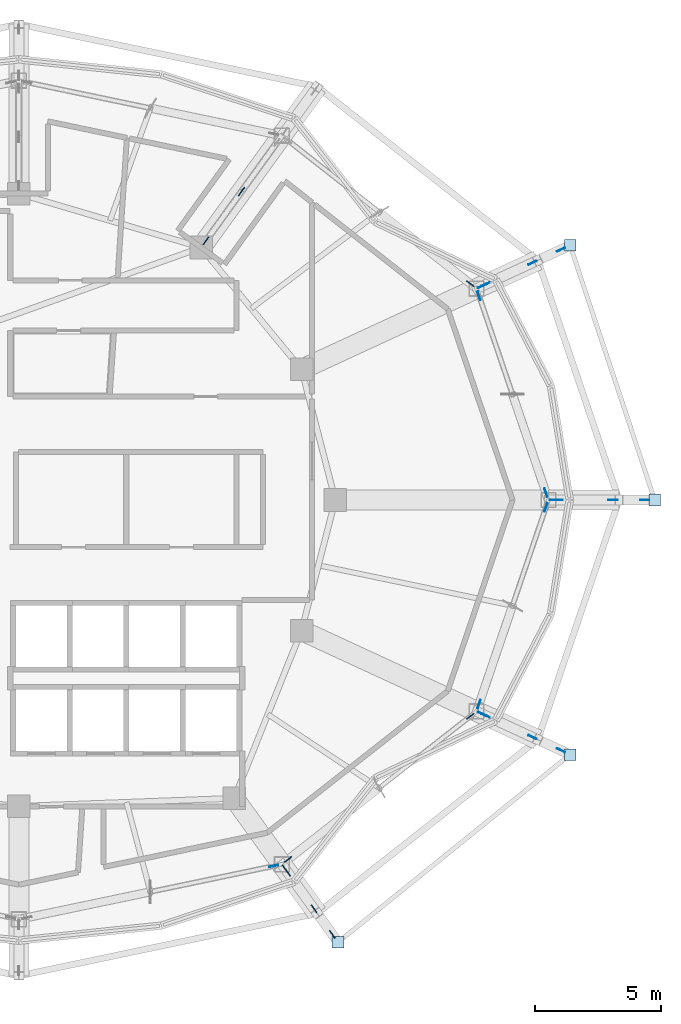
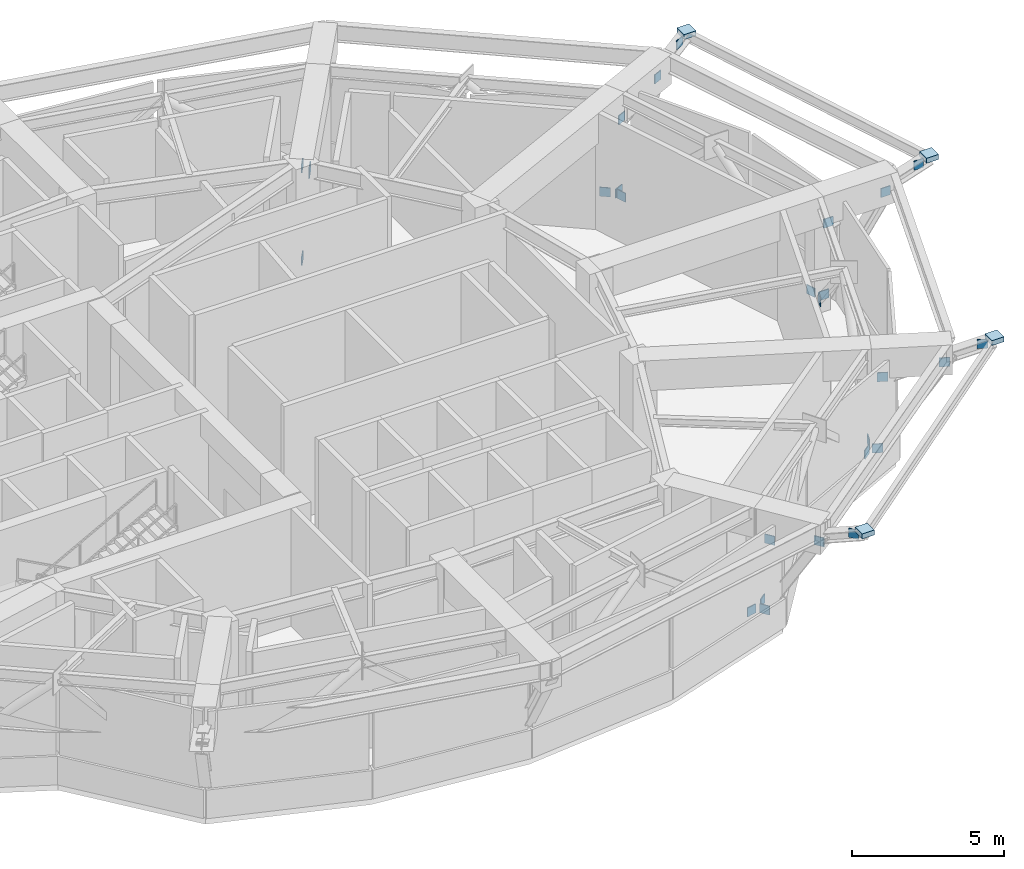
# One storey, part 6 of 13: 31 plates.
"""IFC4 building model written with IfcOpenShell, lengths in metres."""

from ifc_helpers import new_model, si_unit, direction, frame, origin, origin_2d, place, context, subcontext, project, spatial, rectangle, extrude, material, layer, layer_set, type_object, element, save


model = new_model("IFC4")

# Units and contexts
model_context = context("Model", 3, precision=1e-05, world=origin(), true_north=direction((0.0, 1.0)))
body_context = subcontext(model_context, "Body", "Model", "MODEL_VIEW")
ifc_project = project(units=[si_unit("LENGTHUNIT", "METRE"), si_unit("AREAUNIT", "SQUARE_METRE"), si_unit("VOLUMEUNIT", "CUBIC_METRE"), si_unit("PLANEANGLEUNIT", "RADIAN"), si_unit("MASSUNIT", "GRAM", prefix="KILO")], contexts=[model_context])

# Site, building, storey
site_placement = place(None, origin())
site = spatial("IfcSite", under=ifc_project, at=site_placement, CompositionType="ELEMENT")
building_placement = place(site_placement, origin())
building = spatial("IfcBuilding", under=site, at=building_placement, Name="Kolvaren Gate Tower and Convention Centre", CompositionType="ELEMENT")
storey_placement = place(building_placement, frame((0.0, 0.0, 186.89990234375)))
storey = spatial("IfcBuildingStorey", under=building, at=storey_placement, Name="L49", CompositionType="ELEMENT", Elevation=186.89990234375)

# Plates
ifc_material = material(Name="Structural steel plate ASTM A572 Grade 345 MPa", Category="steel")
ifc_layer_1 = layer(ifc_material, 0.030029296875)
ifc_layer_set_1 = layer_set([ifc_layer_1], Name="Structural steel plate ASTM A572 Grade 345 MPa")
plate_type_1 = type_object("IfcPlateType", Name="STR-PL-CAP-30", PredefinedType="USERDEFINED", material=ifc_layer_set_1)
for number, where, z_axis, x_axis, name in (
    (1, (55.445068359375, 27.0, 4.54052734375), (0.0, 0.0, 1.0), (1.0, 0.0, 0.0), "Balcony Outrigger Strut 1A Top Bearing Seat"),
    (2, (52.076416015625, 37.138916015625, 4.54052734375), (0.0, 0.0, 1.0), (1.0, 0.0, 0.0), "Balcony Outrigger Strut 1B Top Bearing Seat"),
    (3, (42.83349609375, 9.390380859375, 4.54052734375), (0.0, 0.0, 1.0), (1.0, 0.0, 0.0), "Balcony Outrigger Strut 4A Top Bearing Seat"),
    (4, (52.076416015625, 16.861083984375, 4.54052734375), (0.0, 0.0, 1.0), (1.0, 0.0, 0.0), "Balcony Outrigger Strut 4B Top Bearing Seat"),
):
    element("IfcPlate", number, at=place(storey_placement, frame(where, z_axis=z_axis, x_axis=x_axis)), inside=storey, type_object=plate_type_1, Name=name, ObjectType="GUSSET PLATE", PredefinedType="USERDEFINED", context=body_context, shape_type="SweptSolid", body=[
        extrude(rectangle(XDim=0.4599609375, YDim=0.4599609375, at=origin_2d()), origin(), (0.0, 0.0, 1.0), 0.199951171875),
    ])
ifc_layer_2 = layer(ifc_material, 0.035888671875)
ifc_layer_set_2 = layer_set([ifc_layer_2], Name="Structural steel plate ASTM A572 Grade 345 MPa")
plate_type_2 = type_object("IfcPlateType", Name="STR-PL-END-36", PredefinedType="USERDEFINED", material=ifc_layer_set_2)
for number, where, z_axis, x_axis, name in (
    (5, (51.453369140625, 27.0, 0.26416015625), (0.0, 0.0, 1.0), (1.0, 0.0, 0.0), "Structural Brace End Connection Gusset Plate EGP-009"),
    (6, (53.7841796875, 27.0, 3.595703125), (0.0, 0.0, 1.0), (1.0, 0.0, 0.0), "Structural Brace End Connection Gusset Plate EGP-010"),
    (7, (48.5634765625, 35.516357421875, 0.26953125), (0.0, 0.0, 1.0), (0.907841891041, 0.419312652888, 0.0), "Structural Brace End Connection Gusset Plate EGP-011"),
    (8, (50.57568359375, 36.44580078125, 3.5908203125), (0.0, 0.0, 1.0), (0.907841891041, 0.419312652888, 0.0), "Structural Brace End Connection Gusset Plate EGP-012"),
    (9, (40.722412109375, 12.31591796875, 0.28076171875), (0.0, 0.0, 1.0), (0.585184143922, -0.810900436369, 0.0), "Structural Brace End Connection Gusset Plate EGP-029"),
    (10, (41.87646484375, 10.716796875, 3.57958984375), (0.0, 0.0, 1.0), (0.585184143922, -0.810900436369, 0.0), "Structural Brace End Connection Gusset Plate EGP-030"),
    (11, (48.5634765625, 18.483642578125, 0.26953125), (0.0, 0.0, 1.0), (0.907841891041, -0.419312652888, 0.0), "Structural Brace End Connection Gusset Plate EGP-031"),
    (12, (50.57568359375, 17.55419921875, 3.5908203125), (0.0, 0.0, 1.0), (0.907841891041, -0.419312652888, 0.0), "Structural Brace End Connection Gusset Plate EGP-032"),
    (13, (51.611572265625, 27.0, 3.12109375), (0.0, 0.0, 1.0), (1.0, 0.0, 0.0), "Structural Brace End Connection Gusset Plate EGP-033"),
    (14, (55.0458984375, 27.0, 4.24951171875), (0.0, 0.0, 1.0), (1.0, 0.0, 0.0), "Structural Brace End Connection Gusset Plate EGP-034"),
    (15, (48.712890625, 35.58544921875, 3.125), (0.0, 0.0, 1.0), (0.907842622878, 0.419311068404, 0.0), "Structural Brace End Connection Gusset Plate EGP-035"),
    (16, (51.71533203125, 36.97216796875, 4.24560546875), (0.0, 0.0, 1.0), (0.907842622878, 0.419311068404, 0.0), "Structural Brace End Connection Gusset Plate EGP-036"),
    (17, (40.827392578125, 12.17041015625, 3.1337890625), (0.0, 0.0, 1.0), (0.585188389778, -0.81089737234, 0.0), "Structural Brace End Connection Gusset Plate EGP-045"),
    (18, (42.6025390625, 9.710693359375, 4.23681640625), (0.0, 0.0, 1.0), (0.585188389778, -0.81089737234, 0.0), "Structural Brace End Connection Gusset Plate EGP-046"),
    (19, (48.712890625, 18.41455078125, 3.125), (0.0, 0.0, 1.0), (0.907842622878, -0.419311068404, 0.0), "Structural Brace End Connection Gusset Plate EGP-047"),
    (20, (51.71533203125, 17.02783203125, 4.24560546875), (0.0, 0.0, 1.0), (0.907842622878, -0.419311068404, 0.0), "Structural Brace End Connection Gusset Plate EGP-048"),
    (21, (51.11474609375, 27.287841796875, 0.35986328125), (0.0, 0.0, 1.0), (-0.321748503985, 0.946825168752, 0.0), "Structural Brace End Connection Gusset Plate EGP-255"),
    (22, (48.449462890625, 35.130615234375, 0.35986328125), (0.0, 0.0, 1.0), (0.321748503985, -0.946825168752, 0.0), "Structural Brace End Connection Gusset Plate EGP-256"),
    (23, (48.10107421875, 35.615478515625, 0.34375), (0.0, 0.0, 1.0), (-0.786444770382, 0.617660605138, 0.0), "Structural Brace End Connection Gusset Plate EGP-257"),
    (24, (40.274169921875, 12.423095703125, 0.33056640625), (0.0, 0.0, 1.0), (-0.978810959299, -0.204765978513, 0.0), "Structural Brace End Connection Gusset Plate EGP-274"),
    (25, (40.846923828125, 12.6875, 0.34375), (0.0, 0.0, 1.0), (0.786452316471, 0.617650996856, 0.0), "Structural Brace End Connection Gusset Plate EGP-275"),
    (26, (48.10107421875, 18.384521484375, 0.34375), (0.0, 0.0, 1.0), (-0.786444770382, -0.617660605138, 0.0), "Structural Brace End Connection Gusset Plate EGP-276"),
    (27, (48.449462890625, 18.869384765625, 0.35986328125), (0.0, 0.0, 1.0), (0.321748503985, 0.946825168752, 0.0), "Structural Brace End Connection Gusset Plate EGP-277"),
    (28, (51.11474609375, 26.712158203125, 0.35986328125), (0.0, 0.0, 1.0), (-0.321748503985, -0.946825168752, 0.0), "Structural Brace End Connection Gusset Plate EGP-278"),
    (29, (37.576171875, 37.32470703125, 0.32666015625), (0.0, 0.0, 1.0), (0.585230847463, 0.810866730837, 0.0), "Structural Brace End Connection Gusset Plate EGP-288"),
    (30, (37.576171875, 37.32470703125, 4.04931640625), (0.0, 0.0, 1.0), (-0.585243584456, -0.810857537952, 0.0), "Structural Brace End Connection Gusset Plate EGP-290"),
):
    element("IfcPlate", number, at=place(storey_placement, frame(where, z_axis=z_axis, x_axis=x_axis)), inside=storey, type_object=plate_type_2, Name=name, ObjectType="GUSSET PLATE", PredefinedType="USERDEFINED", context=body_context, shape_type="SweptSolid", body=[
        extrude(rectangle(XDim=0.360107421875, YDim=0.035888671875, at=origin_2d()), origin(), (0.0, 0.0, 1.0), 0.360107421875),
    ])
ifc_layer_3 = layer(ifc_material, 0.035888671875)
ifc_layer_set_3 = layer_set([ifc_layer_3], Name="Structural steel plate ASTM A572 Grade 345 MPa")
plate_type_3 = type_object("IfcPlateType", Name="STR-PL-GUSSET-36", PredefinedType="USERDEFINED", material=ifc_layer_set_3)
plate_placement = place(storey_placement, frame((38.989013671875, 39.2822265625, 2.157958984375), z_axis=(0.0, 0.0, 1.0), x_axis=(0.585230847463, 0.810866730837, 0.0)))
element("IfcPlate", 31, at=plate_placement, inside=storey, type_object=plate_type_3, Name="Outrigger Crossing Gusset Plate GP-OUT-L49-04X", ObjectType="GUSSET PLATE", PredefinedType="USERDEFINED", context=body_context, shape_type="SweptSolid", body=[
    extrude(rectangle(XDim=0.419921875, YDim=0.035888671875, at=origin_2d()), origin(), (0.0, 0.0, 1.0), 0.419921875),
])

save(model, "model.ifc")
